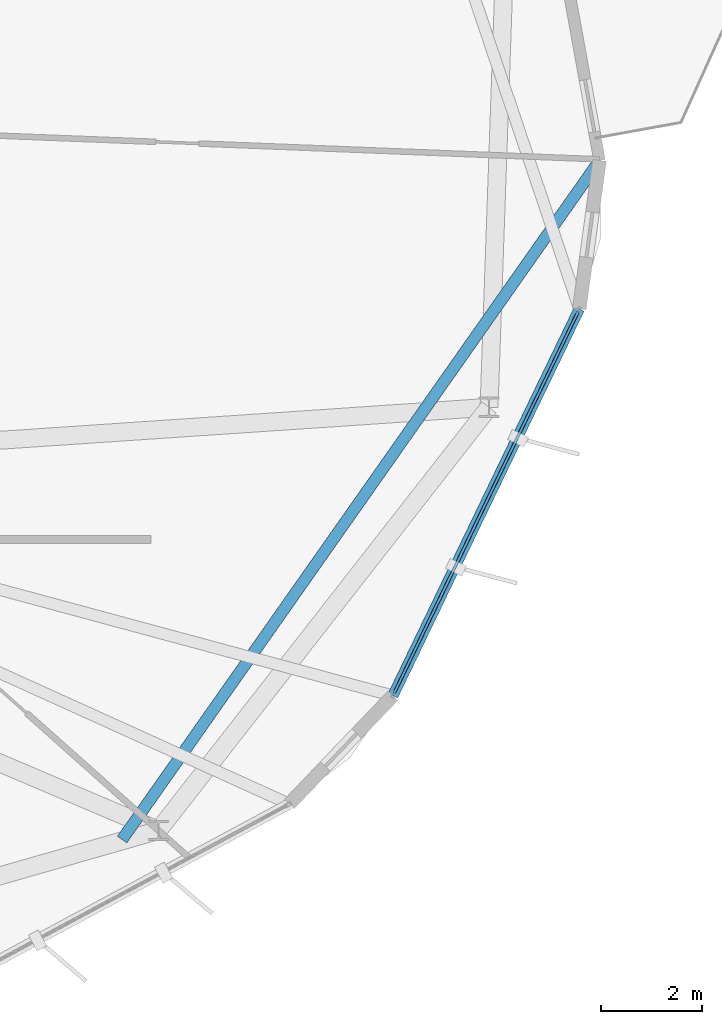
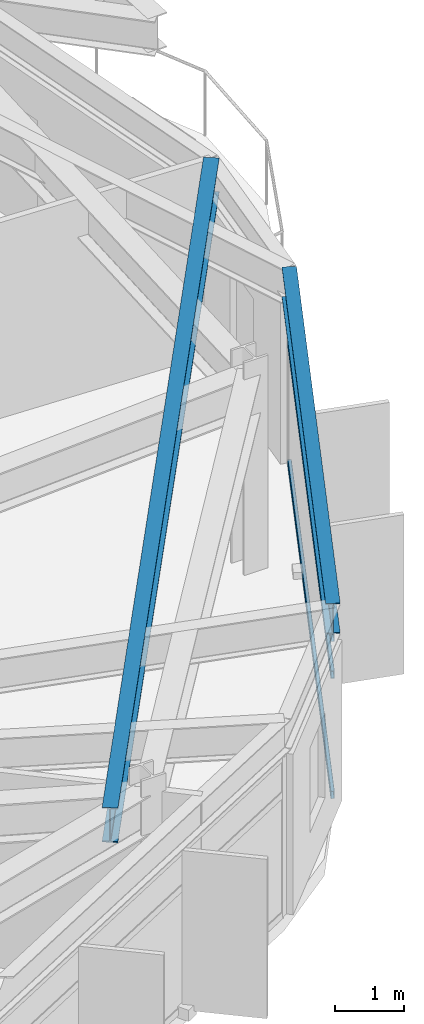
# One storey, part 12 of 26: 3 members, 2 beams, 1 element without a shape of its own.
"""IFC4 building model written with IfcOpenShell, lengths in metres."""

from ifc_helpers import new_model, si_unit, direction, frame, origin, origin_2d, place, context, subcontext, project, spatial, hollow_rectangle, i_section, extrude, material, layer, layer_set, material_profile, profile_set, type_object, element, aggregate, save


model = new_model("IFC4")

# Units and contexts
model_context = context("Model", 3, precision=1e-05, world=origin(), true_north=direction((0.0, 1.0)))
body_context = subcontext(model_context, "Body", "Model", "MODEL_VIEW")
ifc_project = project(units=[si_unit("LENGTHUNIT", "METRE"), si_unit("AREAUNIT", "SQUARE_METRE"), si_unit("VOLUMEUNIT", "CUBIC_METRE"), si_unit("PLANEANGLEUNIT", "RADIAN"), si_unit("MASSUNIT", "GRAM", prefix="KILO")], contexts=[model_context])

# Site, building, storey
site_placement = place(None, origin())
site = spatial("IfcSite", under=ifc_project, at=site_placement, CompositionType="ELEMENT")
building_placement = place(site_placement, origin())
building = spatial("IfcBuilding", under=site, at=building_placement, Name="Soratama Intermodal Tower", CompositionType="ELEMENT")
storey_placement = place(building_placement, frame((0.0, 0.0, 268.75)))
storey = spatial("IfcBuildingStorey", under=building, at=storey_placement, Name="L68", CompositionType="ELEMENT", Elevation=268.75)

# Beams
ifc_material_1 = material(Name="Structural steel ASTM A992 Grade 50", Category="steel")
ifc_material_profile_1 = material_profile(ifc_material_1, i_section(OverallWidth=0.2099609375, OverallDepth=0.537109375, WebThickness=0.010986328125, FlangeThickness=0.017333984375, FilletRadius=0.012939453125, at=origin_2d()), Name="W21X68")
ifc_profile_set_1 = profile_set([ifc_material_profile_1], Name="Structural steel ASTM A992 Grade 50")
beam_type_1 = type_object("IfcBeamType", Name="BM-SPN-W21X68", PredefinedType="SPANDREL", material=ifc_profile_set_1)
beam_1_placement = place(storey_placement, frame((59.260009765625, 13.406982421875, 3.181396484375), z_axis=(0.434263808671, 0.900785737275, 0.0), x_axis=(-0.900785737275, 0.434263808671, 0.0)))
element("IfcBeam", 1, at=beam_1_placement, inside=storey, type_object=beam_type_1, Name="BS-L68-F08", PredefinedType="SPANDREL", context=body_context, shape_type="SweptSolid", body=[
    extrude(i_section(OverallWidth=0.2099609375, OverallDepth=0.537109375, WebThickness=0.010986328125, FlangeThickness=0.017333984375, FilletRadius=0.012939453125, at=origin_2d()), origin(), (0.0, 0.0, 1.0), 8.499267578125),
])
ifc_material_2 = material(Name="Structural steel ASTM A992 Grade 50", Category="steel")
ifc_material_profile_2 = material_profile(ifc_material_2, i_section(OverallWidth=0.22900390625, OverallDepth=0.612060546875, WebThickness=0.011962890625, FlangeThickness=0.01953125, FilletRadius=0.012939453125, at=origin_2d()), Name="W24X84")
ifc_profile_set_2 = profile_set([ifc_material_profile_2], Name="Structural steel ASTM A992 Grade 50")
beam_type_2 = type_object("IfcBeamType", Name="BM-TIE-W24X84", PredefinedType="BEAM", material=ifc_profile_set_2)
beam_2_placement = place(storey_placement, frame((53.89990234375, 10.56103515625, 3.14404296875), z_axis=(0.575170227315, 0.818033746009, 0.0), x_axis=(-0.818033746009, 0.575170227315, 0.0)))
element("IfcBeam", 2, at=beam_2_placement, inside=storey, type_object=beam_type_2, Name="BM-L68-TIE0-09", PredefinedType="BEAM", context=body_context, shape_type="SweptSolid", body=[
    extrude(i_section(OverallWidth=0.22900390625, OverallDepth=0.612060546875, WebThickness=0.011962890625, FlangeThickness=0.01953125, FilletRadius=0.012939453125, at=origin_2d()), origin(), (0.0, 0.0, 1.0), 16.431884765625),
])

# Curtain wall, members
ifc_material_3 = material(Name="Double-glazed aluminium curtain wall", Category="aluminium")
ifc_layer = layer(ifc_material_3, 0.159912109375)
ifc_layer_set = layer_set([ifc_layer], Name="Double-glazed aluminium curtain wall")
curtain_wall_type = type_object("IfcCurtainWallType", Name="CW-SYS-5", PredefinedType="NOTDEFINED", material=ifc_layer_set)
curtain_wall_placement = place(storey_placement, origin())
curtain_wall = element("IfcCurtainWall", 3, at=curtain_wall_placement, inside=storey, type_object=curtain_wall_type, Name="L68 Faceted Curtain Wall F08", PredefinedType="NOTDEFINED")
ifc_material_4 = material(Name="Anodised aluminium AA 6063-T6", Category="aluminium")
ifc_material_profile_3 = material_profile(ifc_material_4, hollow_rectangle(XDim=0.06005859375, YDim=0.1298828125, WallThickness=0.0048828125, InnerFilletRadius=0.0048828125, OuterFilletRadius=0.010009765625, at=origin_2d()), Name="CWT130X60X5")
ifc_profile_set_3 = profile_set([ifc_material_profile_3], Name="Anodised aluminium AA 6063-T6")
member_type = type_object("IfcMemberType", Name="TT-CWT-2", PredefinedType="USERDEFINED", material=ifc_profile_set_3)
member_1_placement = place(storey_placement, frame((59.2861328125, 13.4609375, 0.030029296875), z_axis=(0.43428947641, 0.90077336255, 0.0), x_axis=(-0.90077336255, 0.43428947641, 0.0)))
member_1 = element("IfcMember", 4, at=member_1_placement, type_object=member_type, Name="CW-5 transom 1.1", ObjectType="TRANSOM", PredefinedType="USERDEFINED", context=body_context, shape_type="SweptSolid", body=[
    extrude(hollow_rectangle(XDim=0.06005859375, YDim=0.1298828125, WallThickness=0.0048828125, InnerFilletRadius=0.0048828125, OuterFilletRadius=0.010009765625, at=origin_2d()), origin(), (0.0, 0.0, 1.0), 8.379638671875),
])
member_2_placement = place(storey_placement, frame((59.2861328125, 13.4609375, 2.14990234375), z_axis=(0.43428947641, 0.90077336255, 0.0), x_axis=(-0.90077336255, 0.43428947641, 0.0)))
member_2 = element("IfcMember", 5, at=member_2_placement, type_object=member_type, Name="CW-5 transom 1.2", ObjectType="TRANSOM", PredefinedType="USERDEFINED", context=body_context, shape_type="SweptSolid", body=[
    extrude(hollow_rectangle(XDim=0.06005859375, YDim=0.1298828125, WallThickness=0.0048828125, InnerFilletRadius=0.0048828125, OuterFilletRadius=0.010009765625, at=origin_2d()), origin(), (0.0, 0.0, 1.0), 8.379638671875),
])
member_3_placement = place(storey_placement, frame((59.2861328125, 13.4609375, 2.799072265625), z_axis=(0.43428947641, 0.90077336255, 0.0), x_axis=(-0.90077336255, 0.43428947641, 0.0)))
member_3 = element("IfcMember", 6, at=member_3_placement, type_object=member_type, Name="CW-5 transom 1.3", ObjectType="TRANSOM", PredefinedType="USERDEFINED", context=body_context, shape_type="SweptSolid", body=[
    extrude(hollow_rectangle(XDim=0.06005859375, YDim=0.1298828125, WallThickness=0.0048828125, InnerFilletRadius=0.0048828125, OuterFilletRadius=0.010009765625, at=origin_2d()), origin(), (0.0, 0.0, 1.0), 8.379638671875),
])
aggregate(curtain_wall, [member_1, member_2, member_3])

save(model, "model.ifc")
